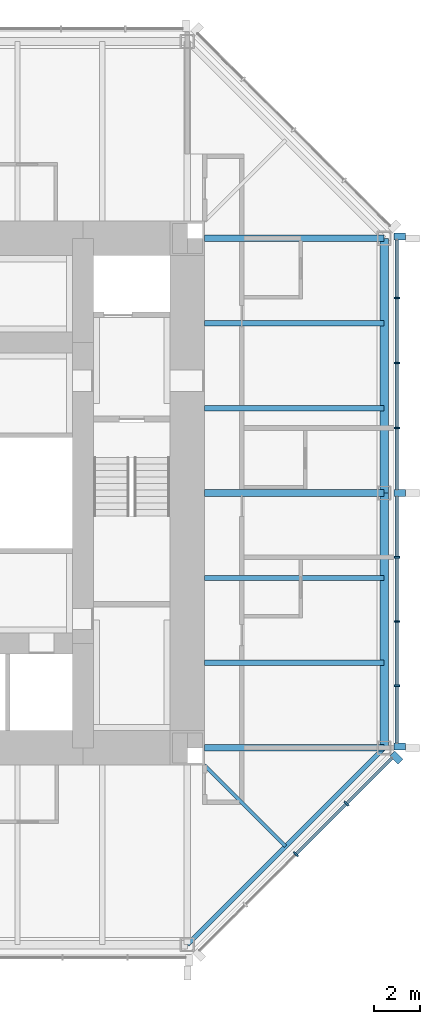
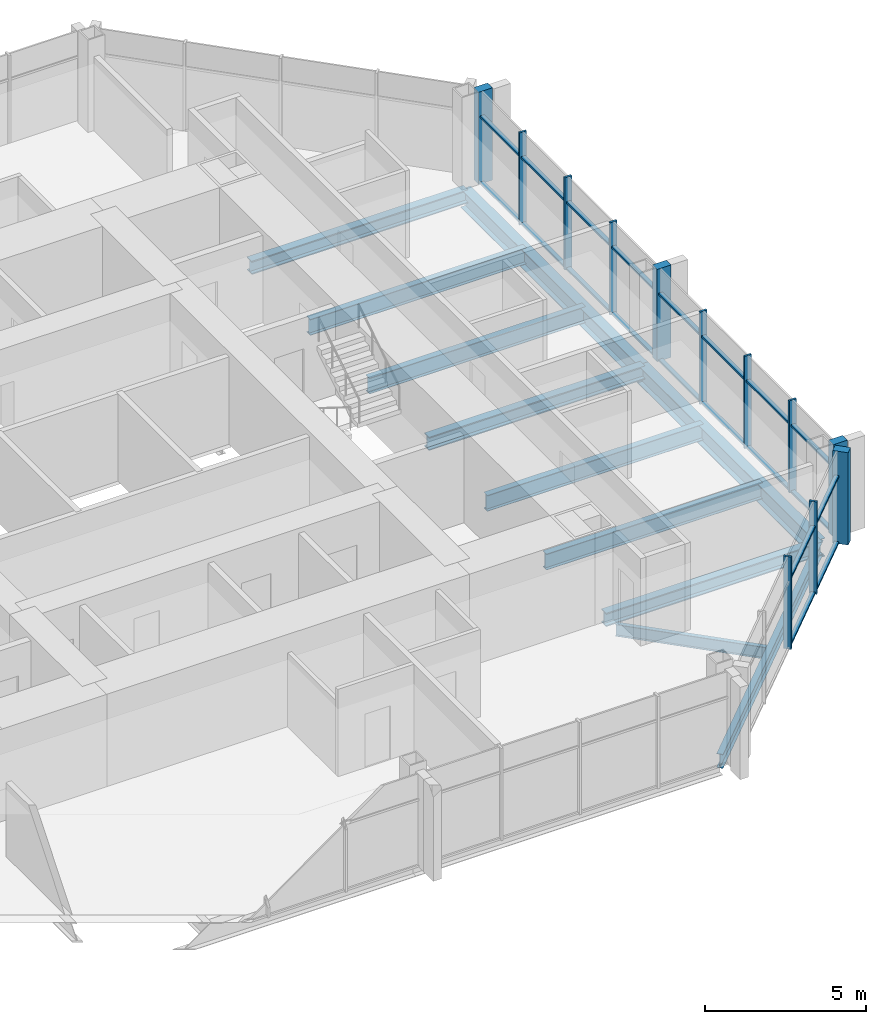
# One storey, part 4 of 11: 32 members, 11 beams, 2 elements without a shape of their own.
"""IFC4 building model written with IfcOpenShell, lengths in metres."""

from ifc_helpers import new_model, si_unit, direction, frame, origin, origin_2d, place, context, subcontext, project, spatial, rectangle, i_section, extrude, material, material_profile, profile_set, type_object, element, aggregate, save


model = new_model("IFC4")

# Units and contexts
model_context = context("Model", 3, precision=1e-05, world=origin(), true_north=direction((0.0, 1.0)))
body_context = subcontext(model_context, "Body", "Model", "MODEL_VIEW")
ifc_project = project(units=[si_unit("LENGTHUNIT", "METRE"), si_unit("AREAUNIT", "SQUARE_METRE"), si_unit("VOLUMEUNIT", "CUBIC_METRE"), si_unit("PLANEANGLEUNIT", "RADIAN"), si_unit("MASSUNIT", "GRAM", prefix="KILO")], contexts=[model_context])

# Site, building, storey
site_placement = place(None, origin())
site = spatial("IfcSite", under=ifc_project, at=site_placement, CompositionType="ELEMENT")
building_placement = place(site_placement, origin())
building = spatial("IfcBuilding", under=site, at=building_placement, Name="Trevanion Tower", CompositionType="ELEMENT")
storey_placement = place(building_placement, frame((0.0, 0.0, 243.199951171875)))
storey = spatial("IfcBuildingStorey", under=building, at=storey_placement, Name="L59", CompositionType="ELEMENT", Elevation=243.199951171875)

# Beams
ifc_material_1 = material(Name="Steel ASTM A992 Grade 50", Category="steel")
ifc_material_profile_1 = material_profile(ifc_material_1, i_section(OverallWidth=0.228271484375, OverallDepth=0.607177734375, WebThickness=0.01123046875, FlangeThickness=0.017333984375, at=origin_2d()), Name="W24X76")
ifc_profile_set_1 = profile_set([ifc_material_profile_1], Name="Steel ASTM A992 Grade 50")
beam_type_1 = type_object("IfcBeamType", Name="B11 W24X76", PredefinedType="BEAM", material=ifc_profile_set_1)
for number, where, z_axis, x_axis, name in (
    (1, (11.75, -7.333251953125, -0.493408203125), (1.0, 0.0, 0.0), (0.0, 1.0, 0.0), "B11 L59"),
    (2, (11.75, -3.666748046875, -0.493408203125), (1.0, 0.0, 0.0), (0.0, 1.0, 0.0), "B11 L59"),
    (3, (11.75, 3.666748046875, -0.493408203125), (1.0, 0.0, 0.0), (0.0, 1.0, 0.0), "B11 L59"),
    (4, (11.75, 7.333251953125, -0.493408203125), (1.0, 0.0, 0.0), (0.0, 1.0, 0.0), "B11 L59"),
):
    element("IfcBeam", number, at=place(storey_placement, frame(where, z_axis=z_axis, x_axis=x_axis)), inside=storey, type_object=beam_type_1, Name=name, PredefinedType="BEAM", context=body_context, shape_type="SweptSolid", body=[
        extrude(i_section(OverallWidth=0.228271484375, OverallDepth=0.607177734375, WebThickness=0.01123046875, FlangeThickness=0.017333984375, at=origin_2d()), origin(), (0.0, 0.0, 1.0), 7.75),
    ])
ifc_material_2 = material(Name="Steel ASTM A992 Grade 50", Category="steel")
ifc_material_profile_2 = material_profile(ifc_material_2, i_section(OverallWidth=0.15234375, OverallDepth=0.449462890625, WebThickness=0.007568359375, FlangeThickness=0.0107421875, at=origin_2d()), Name="W18X35")
ifc_profile_set_2 = profile_set([ifc_material_profile_2], Name="Steel ASTM A992 Grade 50")
beam_type_2 = type_object("IfcBeamType", Name="B12 W18X35", PredefinedType="BEAM", material=ifc_profile_set_2)
beam_1_placement = place(storey_placement, frame((11.75, -11.75, -0.414794921875), z_axis=(0.707106781187, -0.707106781187, 0.0), x_axis=(0.707106781187, 0.707106781187, 0.0)))
element("IfcBeam", 5, at=beam_1_placement, inside=storey, type_object=beam_type_2, Name="B12 L59", PredefinedType="BEAM", context=body_context, shape_type="SweptSolid", body=[
    extrude(i_section(OverallWidth=0.15234375, OverallDepth=0.449462890625, WebThickness=0.007568359375, FlangeThickness=0.0107421875, at=origin_2d()), origin(), (0.0, 0.0, 1.0), 4.94970703125),
])

# Curtain wall, members
ifc_material_3 = material(Name="Aluminium and glass", Category="aluminium")
curtain_wall_type = type_object("IfcCurtainWallType", Name="CW3 curtain wall", PredefinedType="USERDEFINED", material=ifc_material_3)
curtain_wall_1_placement = place(storey_placement, origin())
curtain_wall_1 = element("IfcCurtainWall", 6, at=curtain_wall_1_placement, inside=storey, type_object=curtain_wall_type, Name="CW3 L59 0", ObjectType="UNITISED CURTAIN WALL", PredefinedType="USERDEFINED")
ifc_material_4 = material(Name="Aluminium extrusion, anodised bronze", Category="aluminium")
ifc_material_profile_3 = material_profile(ifc_material_4, rectangle(XDim=0.074951171875, YDim=0.25, at=origin_2d()), Name="CW3 mullion")
ifc_profile_set_3 = profile_set([ifc_material_profile_3], Name="Aluminium extrusion, anodised bronze")
member_type_1 = type_object("IfcMemberType", Name="CW3 mullion", PredefinedType="MULLION", material=ifc_profile_set_3)
member_1_placement = place(storey_placement, frame((20.050048828125, -8.323486328125, -0.18994140625), z_axis=(0.0, 0.0, 1.0), x_axis=(0.0, 1.0, 0.0)))
member_1 = element("IfcMember", 7, at=member_1_placement, type_object=member_type_1, Name="CW3 mullion 2", PredefinedType="MULLION", context=body_context, shape_type="SweptSolid", body=[
    extrude(rectangle(XDim=0.074951171875, YDim=0.25, at=origin_2d()), origin(), (0.0, 0.0, 1.0), 3.5),
])
member_2_placement = place(storey_placement, frame((20.050048828125, -5.548828125, -0.18994140625), z_axis=(0.0, 0.0, 1.0), x_axis=(0.0, 1.0, 0.0)))
member_2 = element("IfcMember", 8, at=member_2_placement, type_object=member_type_1, Name="CW3 mullion 3", PredefinedType="MULLION", context=body_context, shape_type="SweptSolid", body=[
    extrude(rectangle(XDim=0.074951171875, YDim=0.25, at=origin_2d()), origin(), (0.0, 0.0, 1.0), 3.5),
])
member_3_placement = place(storey_placement, frame((20.050048828125, -2.7744140625, -0.18994140625), z_axis=(0.0, 0.0, 1.0), x_axis=(0.0, 1.0, 0.0)))
member_3 = element("IfcMember", 9, at=member_3_placement, type_object=member_type_1, Name="CW3 mullion 4", PredefinedType="MULLION", context=body_context, shape_type="SweptSolid", body=[
    extrude(rectangle(XDim=0.074951171875, YDim=0.25, at=origin_2d()), origin(), (0.0, 0.0, 1.0), 3.5),
])
member_4_placement = place(storey_placement, frame((20.050048828125, 2.806884765625, -0.18994140625), z_axis=(0.0, 0.0, 1.0), x_axis=(0.0, 1.0, 0.0)))
member_4 = element("IfcMember", 10, at=member_4_placement, type_object=member_type_1, Name="CW3 mullion 6", PredefinedType="MULLION", context=body_context, shape_type="SweptSolid", body=[
    extrude(rectangle(XDim=0.074951171875, YDim=0.25, at=origin_2d()), origin(), (0.0, 0.0, 1.0), 3.5),
])
member_5_placement = place(storey_placement, frame((20.050048828125, 5.614013671875, -0.18994140625), z_axis=(0.0, 0.0, 1.0), x_axis=(0.0, 1.0, 0.0)))
member_5 = element("IfcMember", 11, at=member_5_placement, type_object=member_type_1, Name="CW3 mullion 7", PredefinedType="MULLION", context=body_context, shape_type="SweptSolid", body=[
    extrude(rectangle(XDim=0.074951171875, YDim=0.25, at=origin_2d()), origin(), (0.0, 0.0, 1.0), 3.5),
])
member_6_placement = place(storey_placement, frame((20.050048828125, 8.4208984375, -0.18994140625), z_axis=(0.0, 0.0, 1.0), x_axis=(0.0, 1.0, 0.0)))
member_6 = element("IfcMember", 12, at=member_6_placement, type_object=member_type_1, Name="CW3 mullion 8", PredefinedType="MULLION", context=body_context, shape_type="SweptSolid", body=[
    extrude(rectangle(XDim=0.074951171875, YDim=0.25, at=origin_2d()), origin(), (0.0, 0.0, 1.0), 3.5),
])

curtain_wall_2_placement = place(storey_placement, origin())
curtain_wall_2 = element("IfcCurtainWall", 13, at=curtain_wall_2_placement, inside=storey, type_object=curtain_wall_type, Name="CW3 L59 7", ObjectType="UNITISED CURTAIN WALL", PredefinedType="USERDEFINED")
member_7_placement = place(storey_placement, frame((15.684814453125, -15.593017578125, -0.18994140625), z_axis=(0.0, 0.0, 1.0), x_axis=(0.707106781187, 0.707106781187, 0.0)))
member_7 = element("IfcMember", 14, at=member_7_placement, type_object=member_type_1, Name="CW3 mullion 3", PredefinedType="MULLION", context=body_context, shape_type="SweptSolid", body=[
    extrude(rectangle(XDim=0.074951171875, YDim=0.25, at=origin_2d()), origin(), (0.0, 0.0, 1.0), 3.5),
])
member_8_placement = place(storey_placement, frame((17.867431640625, -13.410400390625, -0.18994140625), z_axis=(0.0, 0.0, 1.0), x_axis=(0.707106781187, 0.707106781187, 0.0)))
member_8 = element("IfcMember", 15, at=member_8_placement, type_object=member_type_1, Name="CW3 mullion 4", PredefinedType="MULLION", context=body_context, shape_type="SweptSolid", body=[
    extrude(rectangle(XDim=0.074951171875, YDim=0.25, at=origin_2d()), origin(), (0.0, 0.0, 1.0), 3.5),
])

# Member
ifc_material_5 = material(Name="Aluminium extrusion, anodised bronze", Category="aluminium")
ifc_material_profile_4 = material_profile(ifc_material_5, rectangle(XDim=0.300048828125, YDim=0.5, at=origin_2d()), Name="CW3 pier mullion")
ifc_profile_set_4 = profile_set([ifc_material_profile_4], Name="Aluminium extrusion, anodised bronze")
member_type_2 = type_object("IfcMemberType", Name="CW3 pier mullion", PredefinedType="MULLION", material=ifc_profile_set_4)
member_9_placement = place(storey_placement, frame((20.175048828125, -10.94775390625, -0.18994140625), z_axis=(0.0, 0.0, 1.0), x_axis=(0.0, 1.0, 0.0)))
member_9 = element("IfcMember", 16, at=member_9_placement, type_object=member_type_2, Name="CW3 pier mullion 1", PredefinedType="MULLION", context=body_context, shape_type="SweptSolid", body=[
    extrude(rectangle(XDim=0.300048828125, YDim=0.5, at=origin_2d()), origin(), (0.0, 0.0, 1.0), 3.5),
])

member_10_placement = place(storey_placement, frame((20.175048828125, 0.0, -0.18994140625), z_axis=(0.0, 0.0, 1.0), x_axis=(0.0, 1.0, 0.0)))
member_10 = element("IfcMember", 17, at=member_10_placement, type_object=member_type_2, Name="CW3 pier mullion 5", PredefinedType="MULLION", context=body_context, shape_type="SweptSolid", body=[
    extrude(rectangle(XDim=0.300048828125, YDim=0.5, at=origin_2d()), origin(), (0.0, 0.0, 1.0), 3.5),
])

member_11_placement = place(storey_placement, frame((20.175048828125, 11.077880859375, -0.18994140625), z_axis=(0.0, 0.0, 1.0), x_axis=(0.0, 1.0, 0.0)))
member_11 = element("IfcMember", 18, at=member_11_placement, type_object=member_type_2, Name="CW3 pier mullion 9", PredefinedType="MULLION", context=body_context, shape_type="SweptSolid", body=[
    extrude(rectangle(XDim=0.300048828125, YDim=0.5, at=origin_2d()), origin(), (0.0, 0.0, 1.0), 3.5),
])

member_12_placement = place(storey_placement, frame((20.0322265625, -11.42236328125, -0.18994140625), z_axis=(0.0, 0.0, 1.0), x_axis=(0.707106781187, 0.707106781187, 0.0)))
member_12 = element("IfcMember", 19, at=member_12_placement, type_object=member_type_2, Name="CW3 pier mullion 5", PredefinedType="MULLION", context=body_context, shape_type="SweptSolid", body=[
    extrude(rectangle(XDim=0.300048828125, YDim=0.5, at=origin_2d()), origin(), (0.0, 0.0, 1.0), 3.5),
])

ifc_material_6 = material(Name="Aluminium extrusion, anodised bronze", Category="aluminium")
ifc_material_profile_5 = material_profile(ifc_material_6, rectangle(XDim=0.14990234375, YDim=0.074951171875, at=origin_2d()), Name="CW3 transom")
ifc_profile_set_5 = profile_set([ifc_material_profile_5], Name="Aluminium extrusion, anodised bronze")
member_type_3 = type_object("IfcMemberType", Name="CW3 transom", PredefinedType="USERDEFINED", material=ifc_profile_set_5)
member_13_placement = place(storey_placement, frame((20.050048828125, -10.7978515625, -0.15234375), z_axis=(0.0, 1.0, 0.0), x_axis=(-1.0, 0.0, 0.0)))
member_13 = element("IfcMember", 20, at=member_13_placement, type_object=member_type_3, Name="CW3 transom 1.1", ObjectType="TRANSOM", PredefinedType="USERDEFINED", context=body_context, shape_type="SweptSolid", body=[
    extrude(rectangle(XDim=0.14990234375, YDim=0.074951171875, at=origin_2d()), origin(), (0.0, 0.0, 1.0), 2.43701171875),
])

member_14_placement = place(storey_placement, frame((20.050048828125, -10.7978515625, 2.360107421875), z_axis=(0.0, 1.0, 0.0), x_axis=(-1.0, 0.0, 0.0)))
member_14 = element("IfcMember", 21, at=member_14_placement, type_object=member_type_3, Name="CW3 transom 1.2", ObjectType="TRANSOM", PredefinedType="USERDEFINED", context=body_context, shape_type="SweptSolid", body=[
    extrude(rectangle(XDim=0.14990234375, YDim=0.074951171875, at=origin_2d()), origin(), (0.0, 0.0, 1.0), 2.43701171875),
])

member_15_placement = place(storey_placement, frame((20.050048828125, -8.285888671875, -0.15234375), z_axis=(0.0, 1.0, 0.0), x_axis=(-1.0, 0.0, 0.0)))
member_15 = element("IfcMember", 22, at=member_15_placement, type_object=member_type_3, Name="CW3 transom 2.1", ObjectType="TRANSOM", PredefinedType="USERDEFINED", context=body_context, shape_type="SweptSolid", body=[
    extrude(rectangle(XDim=0.14990234375, YDim=0.074951171875, at=origin_2d()), origin(), (0.0, 0.0, 1.0), 2.699462890625),
])

member_16_placement = place(storey_placement, frame((20.050048828125, -8.285888671875, 2.360107421875), z_axis=(0.0, 1.0, 0.0), x_axis=(-1.0, 0.0, 0.0)))
member_16 = element("IfcMember", 23, at=member_16_placement, type_object=member_type_3, Name="CW3 transom 2.2", ObjectType="TRANSOM", PredefinedType="USERDEFINED", context=body_context, shape_type="SweptSolid", body=[
    extrude(rectangle(XDim=0.14990234375, YDim=0.074951171875, at=origin_2d()), origin(), (0.0, 0.0, 1.0), 2.699462890625),
])

member_17_placement = place(storey_placement, frame((20.050048828125, -5.511474609375, -0.15234375), z_axis=(0.0, 1.0, 0.0), x_axis=(-1.0, 0.0, 0.0)))
member_17 = element("IfcMember", 24, at=member_17_placement, type_object=member_type_3, Name="CW3 transom 3.1", ObjectType="TRANSOM", PredefinedType="USERDEFINED", context=body_context, shape_type="SweptSolid", body=[
    extrude(rectangle(XDim=0.14990234375, YDim=0.074951171875, at=origin_2d()), origin(), (0.0, 0.0, 1.0), 2.699462890625),
])

member_18_placement = place(storey_placement, frame((20.050048828125, -5.511474609375, 2.360107421875), z_axis=(0.0, 1.0, 0.0), x_axis=(-1.0, 0.0, 0.0)))
member_18 = element("IfcMember", 25, at=member_18_placement, type_object=member_type_3, Name="CW3 transom 3.2", ObjectType="TRANSOM", PredefinedType="USERDEFINED", context=body_context, shape_type="SweptSolid", body=[
    extrude(rectangle(XDim=0.14990234375, YDim=0.074951171875, at=origin_2d()), origin(), (0.0, 0.0, 1.0), 2.699462890625),
])

member_19_placement = place(storey_placement, frame((20.050048828125, -2.737060546875, -0.15234375), z_axis=(0.0, 1.0, 0.0), x_axis=(-1.0, 0.0, 0.0)))
member_19 = element("IfcMember", 26, at=member_19_placement, type_object=member_type_3, Name="CW3 transom 4.1", ObjectType="TRANSOM", PredefinedType="USERDEFINED", context=body_context, shape_type="SweptSolid", body=[
    extrude(rectangle(XDim=0.14990234375, YDim=0.074951171875, at=origin_2d()), origin(), (0.0, 0.0, 1.0), 2.587158203125),
])

member_20_placement = place(storey_placement, frame((20.050048828125, -2.737060546875, 2.360107421875), z_axis=(0.0, 1.0, 0.0), x_axis=(-1.0, 0.0, 0.0)))
member_20 = element("IfcMember", 27, at=member_20_placement, type_object=member_type_3, Name="CW3 transom 4.2", ObjectType="TRANSOM", PredefinedType="USERDEFINED", context=body_context, shape_type="SweptSolid", body=[
    extrude(rectangle(XDim=0.14990234375, YDim=0.074951171875, at=origin_2d()), origin(), (0.0, 0.0, 1.0), 2.587158203125),
])

member_21_placement = place(storey_placement, frame((20.050048828125, 0.14990234375, -0.15234375), z_axis=(0.0, 1.0, 0.0), x_axis=(-1.0, 0.0, 0.0)))
member_21 = element("IfcMember", 28, at=member_21_placement, type_object=member_type_3, Name="CW3 transom 5.1", ObjectType="TRANSOM", PredefinedType="USERDEFINED", context=body_context, shape_type="SweptSolid", body=[
    extrude(rectangle(XDim=0.14990234375, YDim=0.074951171875, at=origin_2d()), origin(), (0.0, 0.0, 1.0), 2.619384765625),
])

member_22_placement = place(storey_placement, frame((20.050048828125, 0.14990234375, 2.360107421875), z_axis=(0.0, 1.0, 0.0), x_axis=(-1.0, 0.0, 0.0)))
member_22 = element("IfcMember", 29, at=member_22_placement, type_object=member_type_3, Name="CW3 transom 5.2", ObjectType="TRANSOM", PredefinedType="USERDEFINED", context=body_context, shape_type="SweptSolid", body=[
    extrude(rectangle(XDim=0.14990234375, YDim=0.074951171875, at=origin_2d()), origin(), (0.0, 0.0, 1.0), 2.619384765625),
])

member_23_placement = place(storey_placement, frame((20.050048828125, 2.844482421875, -0.15234375), z_axis=(0.0, 1.0, 0.0), x_axis=(-1.0, 0.0, 0.0)))
member_23 = element("IfcMember", 30, at=member_23_placement, type_object=member_type_3, Name="CW3 transom 6.1", ObjectType="TRANSOM", PredefinedType="USERDEFINED", context=body_context, shape_type="SweptSolid", body=[
    extrude(rectangle(XDim=0.14990234375, YDim=0.074951171875, at=origin_2d()), origin(), (0.0, 0.0, 1.0), 2.73193359375),
])

member_24_placement = place(storey_placement, frame((20.050048828125, 2.844482421875, 2.360107421875), z_axis=(0.0, 1.0, 0.0), x_axis=(-1.0, 0.0, 0.0)))
member_24 = element("IfcMember", 31, at=member_24_placement, type_object=member_type_3, Name="CW3 transom 6.2", ObjectType="TRANSOM", PredefinedType="USERDEFINED", context=body_context, shape_type="SweptSolid", body=[
    extrude(rectangle(XDim=0.14990234375, YDim=0.074951171875, at=origin_2d()), origin(), (0.0, 0.0, 1.0), 2.73193359375),
])

member_25_placement = place(storey_placement, frame((20.050048828125, 5.6513671875, -0.15234375), z_axis=(0.0, 1.0, 0.0), x_axis=(-1.0, 0.0, 0.0)))
member_25 = element("IfcMember", 32, at=member_25_placement, type_object=member_type_3, Name="CW3 transom 7.1", ObjectType="TRANSOM", PredefinedType="USERDEFINED", context=body_context, shape_type="SweptSolid", body=[
    extrude(rectangle(XDim=0.14990234375, YDim=0.074951171875, at=origin_2d()), origin(), (0.0, 0.0, 1.0), 2.73193359375),
])

member_26_placement = place(storey_placement, frame((20.050048828125, 5.6513671875, 2.360107421875), z_axis=(0.0, 1.0, 0.0), x_axis=(-1.0, 0.0, 0.0)))
member_26 = element("IfcMember", 33, at=member_26_placement, type_object=member_type_3, Name="CW3 transom 7.2", ObjectType="TRANSOM", PredefinedType="USERDEFINED", context=body_context, shape_type="SweptSolid", body=[
    extrude(rectangle(XDim=0.14990234375, YDim=0.074951171875, at=origin_2d()), origin(), (0.0, 0.0, 1.0), 2.73193359375),
])

member_27_placement = place(storey_placement, frame((20.050048828125, 8.45849609375, -0.15234375), z_axis=(0.0, 1.0, 0.0), x_axis=(-1.0, 0.0, 0.0)))
member_27 = element("IfcMember", 34, at=member_27_placement, type_object=member_type_3, Name="CW3 transom 8.1", ObjectType="TRANSOM", PredefinedType="USERDEFINED", context=body_context, shape_type="SweptSolid", body=[
    extrude(rectangle(XDim=0.14990234375, YDim=0.074951171875, at=origin_2d()), origin(), (0.0, 0.0, 1.0), 2.46923828125),
])

member_28_placement = place(storey_placement, frame((20.050048828125, 8.45849609375, 2.360107421875), z_axis=(0.0, 1.0, 0.0), x_axis=(-1.0, 0.0, 0.0)))
member_28 = element("IfcMember", 35, at=member_28_placement, type_object=member_type_3, Name="CW3 transom 8.2", ObjectType="TRANSOM", PredefinedType="USERDEFINED", context=body_context, shape_type="SweptSolid", body=[
    extrude(rectangle(XDim=0.14990234375, YDim=0.074951171875, at=origin_2d()), origin(), (0.0, 0.0, 1.0), 2.46923828125),
])

aggregate(curtain_wall_1, [member_9, member_1, member_2, member_3, member_10, member_4, member_5, member_6, member_11, member_13, member_14, member_15, member_16, member_17, member_18, member_19, member_20, member_21, member_22, member_23, member_24, member_25, member_26, member_27, member_28])

member_29_placement = place(storey_placement, frame((15.71142578125, -15.56640625, -0.15234375), z_axis=(0.707106781187, 0.707106781187, 0.0), x_axis=(-0.707106781187, 0.707106781187, 0.0)))
member_29 = element("IfcMember", 36, at=member_29_placement, type_object=member_type_3, Name="CW3 transom 3.1", ObjectType="TRANSOM", PredefinedType="USERDEFINED", context=body_context, shape_type="SweptSolid", body=[
    extrude(rectangle(XDim=0.14990234375, YDim=0.074951171875, at=origin_2d()), origin(), (0.0, 0.0, 1.0), 3.011474609375),
])

member_30_placement = place(storey_placement, frame((15.71142578125, -15.56640625, 2.360107421875), z_axis=(0.707106781187, 0.707106781187, 0.0), x_axis=(-0.707106781187, 0.707106781187, 0.0)))
member_30 = element("IfcMember", 37, at=member_30_placement, type_object=member_type_3, Name="CW3 transom 3.2", ObjectType="TRANSOM", PredefinedType="USERDEFINED", context=body_context, shape_type="SweptSolid", body=[
    extrude(rectangle(XDim=0.14990234375, YDim=0.074951171875, at=origin_2d()), origin(), (0.0, 0.0, 1.0), 3.011474609375),
])

member_31_placement = place(storey_placement, frame((17.89404296875, -13.3837890625, -0.15234375), z_axis=(0.707106781187, 0.707106781187, 0.0), x_axis=(-0.707106781187, 0.707106781187, 0.0)))
member_31 = element("IfcMember", 38, at=member_31_placement, type_object=member_type_3, Name="CW3 transom 4.1", ObjectType="TRANSOM", PredefinedType="USERDEFINED", context=body_context, shape_type="SweptSolid", body=[
    extrude(rectangle(XDim=0.14990234375, YDim=0.074951171875, at=origin_2d()), origin(), (0.0, 0.0, 1.0), 2.7490234375),
])

member_32_placement = place(storey_placement, frame((17.89404296875, -13.3837890625, 2.360107421875), z_axis=(0.707106781187, 0.707106781187, 0.0), x_axis=(-0.707106781187, 0.707106781187, 0.0)))
member_32 = element("IfcMember", 39, at=member_32_placement, type_object=member_type_3, Name="CW3 transom 4.2", ObjectType="TRANSOM", PredefinedType="USERDEFINED", context=body_context, shape_type="SweptSolid", body=[
    extrude(rectangle(XDim=0.14990234375, YDim=0.074951171875, at=origin_2d()), origin(), (0.0, 0.0, 1.0), 2.7490234375),
])

aggregate(curtain_wall_2, [member_7, member_8, member_12, member_29, member_30, member_31, member_32])

# Beams
ifc_material_7 = material(Name="Steel ASTM A992 Grade 50", Category="steel")
ifc_material_profile_6 = material_profile(ifc_material_7, i_section(OverallWidth=0.28955078125, OverallDepth=0.508056640625, WebThickness=0.022705078125, FlangeThickness=0.040283203125, at=origin_2d()), Name="W18X175")
ifc_profile_set_6 = profile_set([ifc_material_profile_6], Name="Steel ASTM A992 Grade 50")
beam_type_3 = type_object("IfcBeamType", Name="G6 W18X175", PredefinedType="BEAM", material=ifc_profile_set_6)
for number, where, z_axis, x_axis, name in (
    (40, (11.75, -11.0, -0.44384765625), (1.0, 0.0, 0.0), (0.0, 1.0, 0.0), "G6 L59"),
    (41, (11.75, 0.0, -0.44384765625), (1.0, 0.0, 0.0), (0.0, 1.0, 0.0), "G6 L59"),
    (42, (11.75, 11.0, -0.44384765625), (1.0, 0.0, 0.0), (0.0, 1.0, 0.0), "G6 L59"),
):
    element("IfcBeam", number, at=place(storey_placement, frame(where, z_axis=z_axis, x_axis=x_axis)), inside=storey, type_object=beam_type_3, Name=name, PredefinedType="BEAM", context=body_context, shape_type="SweptSolid", body=[
        extrude(i_section(OverallWidth=0.28955078125, OverallDepth=0.508056640625, WebThickness=0.022705078125, FlangeThickness=0.040283203125, at=origin_2d()), origin(), (0.0, 0.0, 1.0), 7.75),
    ])
ifc_material_8 = material(Name="Steel ASTM A992 Grade 50", Category="steel")
ifc_material_profile_7 = material_profile(ifc_material_8, i_section(OverallWidth=0.355712890625, OverallDepth=0.696044921875, WebThickness=0.015380859375, FlangeThickness=0.024658203125, at=origin_2d()), Name="W27X146")
ifc_profile_set_7 = profile_set([ifc_material_profile_7], Name="Steel ASTM A992 Grade 50")
beam_type_4 = type_object("IfcBeamType", Name="SB8 W27X146", PredefinedType="SPANDREL", material=ifc_profile_set_7)
for number, where, z_axis, x_axis, name in (
    (43, (19.5, -11.0, -0.537841796875), (0.0, 1.0, 0.0), (-1.0, 0.0, 0.0), "SB8 L59"),
    (44, (19.5, 0.0, -0.537841796875), (0.0, 1.0, 0.0), (-1.0, 0.0, 0.0), "SB8 L59"),
):
    element("IfcBeam", number, at=place(storey_placement, frame(where, z_axis=z_axis, x_axis=x_axis)), inside=storey, type_object=beam_type_4, Name=name, PredefinedType="SPANDREL", context=body_context, shape_type="SweptSolid", body=[
        extrude(i_section(OverallWidth=0.355712890625, OverallDepth=0.696044921875, WebThickness=0.015380859375, FlangeThickness=0.024658203125, at=origin_2d()), origin(), (0.0, 0.0, 1.0), 11.0),
    ])
ifc_material_9 = material(Name="Steel ASTM A992 Grade 50", Category="steel")
ifc_material_profile_8 = material_profile(ifc_material_9, i_section(OverallWidth=0.209228515625, OverallDepth=0.533447265625, WebThickness=0.01025390625, FlangeThickness=0.015625, at=origin_2d()), Name="W21X62")
ifc_profile_set_8 = profile_set([ifc_material_profile_8], Name="Steel ASTM A992 Grade 50")
beam_type_5 = type_object("IfcBeamType", Name="SB9 W21X62", PredefinedType="SPANDREL", material=ifc_profile_set_8)
beam_2_placement = place(storey_placement, frame((11.0, -19.5, -0.45654296875), z_axis=(0.707106781187, 0.707106781187, 0.0), x_axis=(-0.707106781187, 0.707106781187, 0.0)))
element("IfcBeam", 45, at=beam_2_placement, inside=storey, type_object=beam_type_5, Name="SB9 L59", PredefinedType="SPANDREL", context=body_context, shape_type="SweptSolid", body=[
    extrude(i_section(OverallWidth=0.209228515625, OverallDepth=0.533447265625, WebThickness=0.01025390625, FlangeThickness=0.015625, at=origin_2d()), origin(), (0.0, 0.0, 1.0), 12.020751953125),
])

save(model, "model.ifc")
